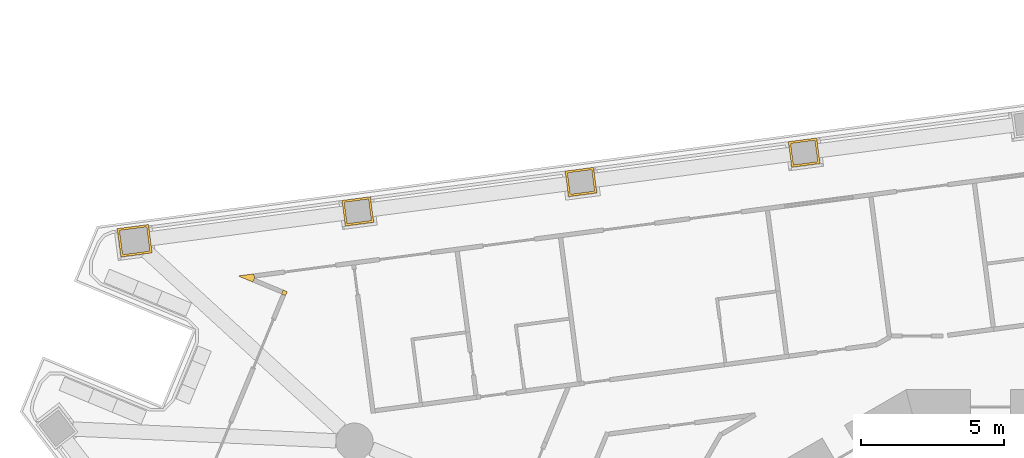
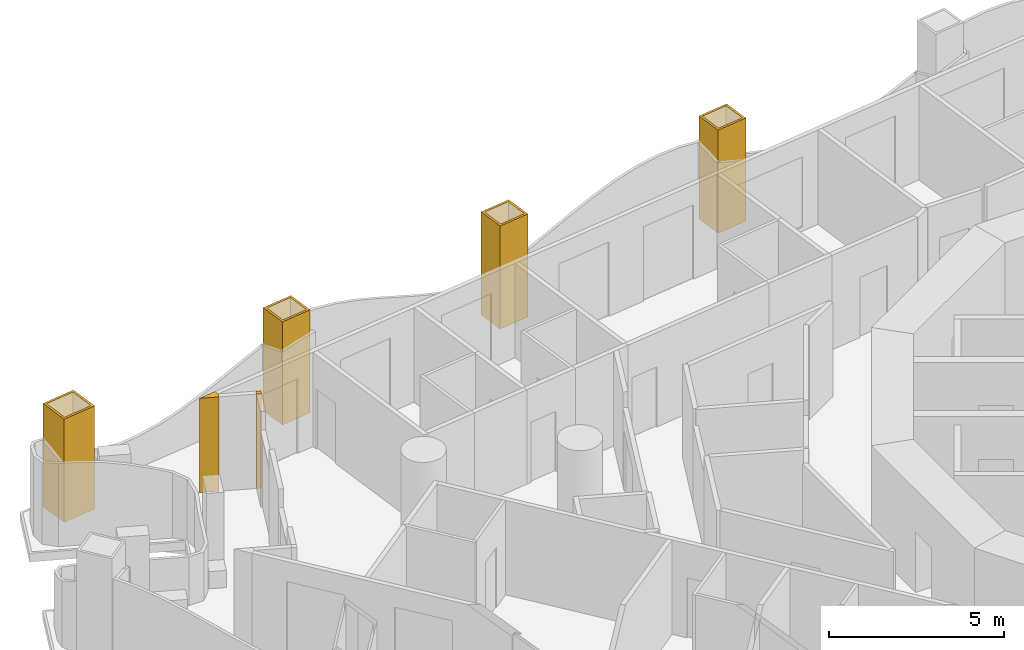
# One storey, part 16 of 19: 6 coverings.
"""IFC4 building model written with IfcOpenShell, lengths in metres."""

from ifc_helpers import new_model, si_unit, direction, frame, origin, place, context, subcontext, project, spatial, polyline, outline, extrude, material, layer, layer_set, type_object, element, save


model = new_model("IFC4")

# Units and contexts
model_context = context("Model", 3, precision=1e-05, world=origin(), true_north=direction((0.0, 1.0)))
body_context = subcontext(model_context, "Body", "Model", "MODEL_VIEW")
ifc_project = project(units=[si_unit("LENGTHUNIT", "METRE"), si_unit("AREAUNIT", "SQUARE_METRE"), si_unit("VOLUMEUNIT", "CUBIC_METRE"), si_unit("PLANEANGLEUNIT", "RADIAN"), si_unit("MASSUNIT", "GRAM", prefix="KILO")], contexts=[model_context])

# Site, building, storey
site_placement = place(None, origin())
site = spatial("IfcSite", under=ifc_project, at=site_placement, CompositionType="ELEMENT")
building_placement = place(site_placement, origin())
building = spatial("IfcBuilding", under=site, at=building_placement, Name="Trine Commons Tower", CompositionType="ELEMENT")
storey_placement = place(building_placement, frame((0.0, 0.0, 75.60009765625)))
storey = spatial("IfcBuildingStorey", under=building, at=storey_placement, Name="L18", CompositionType="ELEMENT", Elevation=75.60009765625)

# Coverings
ifc_material_1 = material(Name="Aluminium-framed insulated wall panel", Category="aluminium")
ifc_layer_1 = layer(ifc_material_1, 0.14990234375)
ifc_layer_set_1 = layer_set([ifc_layer_1], Name="Aluminium-framed insulated wall panel")
covering_type_1 = type_object("IfcCoveringType", Name="Glazing corner post, aluminium", PredefinedType="CLADDING", material=ifc_layer_set_1)
covering_1_placement = place(storey_placement, origin())
element("IfcCovering", 1, at=covering_1_placement, inside=storey, type_object=covering_type_1, Name="Glazing corner post 2-03", PredefinedType="CLADDING", context=body_context, shape_type="SweptSolid", body=[
    extrude(outline(polyline([(55.384521484375, 76.79833984375), (55.44189453125, 76.93701171875), (55.30322265625, 76.994384765625), (55.245849609375, 76.855712890625), (55.384521484375, 76.79833984375)])), origin(), (0.0, 0.0, 1.0), 3.2998046875),
])
covering_2_placement = place(storey_placement, origin())
element("IfcCovering", 2, at=covering_2_placement, inside=storey, type_object=covering_type_1, Name="Glazing corner post 2-04", PredefinedType="CLADDING", context=body_context, shape_type="SweptSolid", body=[
    extrude(outline(polyline([(54.242919921875, 77.271240234375), (54.30029296875, 77.409912109375), (54.280517578125, 77.55859375), (53.7255859375, 77.485595703125), (54.242919921875, 77.271240234375)])), origin(), (0.0, 0.0, 1.0), 3.2998046875),
])
ifc_material_2 = material(Name="Limestone, honed", Category="masonry")
ifc_layer_2 = layer(ifc_material_2, 0.074951171875)
ifc_layer_set_2 = layer_set([ifc_layer_2], Name="Limestone, honed")
covering_type_2 = type_object("IfcCoveringType", Name="Limestone column cladding 75", PredefinedType="CLADDING", material=ifc_layer_set_2)
covering_3_placement = place(storey_placement, origin())
element("IfcCovering", 3, at=covering_3_placement, inside=storey, type_object=covering_type_2, Name="Limestone pier cladding 2-09", PredefinedType="CLADDING", context=body_context, shape_type="SweptSolid", body=[
    extrude(outline(polyline([(50.726806640625, 78.291015625), (50.59619140625, 79.2822265625), (49.505615234375, 79.138671875), (49.635986328125, 78.147216796875), (50.726806640625, 78.291015625)]), holes=[polyline([(50.642578125, 78.35546875), (50.531494140625, 79.1982421875), (49.589599609375, 79.07421875), (49.70068359375, 78.2314453125), (50.642578125, 78.35546875)])]), origin(), (0.0, 0.0, 1.0), 3.599853515625),
])
covering_4_placement = place(storey_placement, origin())
element("IfcCovering", 4, at=covering_4_placement, inside=storey, type_object=covering_type_2, Name="Limestone pier cladding 2-10", PredefinedType="CLADDING", context=body_context, shape_type="SweptSolid", body=[
    extrude(outline(polyline([(58.4638671875, 79.360107421875), (58.34619140625, 80.252197265625), (57.354736328125, 80.121826171875), (57.472412109375, 79.2294921875), (58.4638671875, 79.360107421875)]), holes=[polyline([(58.379638671875, 79.424560546875), (58.28173828125, 80.168212890625), (57.43896484375, 80.05712890625), (57.536865234375, 79.313720703125), (58.379638671875, 79.424560546875)])]), origin(), (0.0, 0.0, 1.0), 3.599853515625),
])
covering_5_placement = place(storey_placement, origin())
element("IfcCovering", 5, at=covering_5_placement, inside=storey, type_object=covering_type_2, Name="Limestone pier cladding 2-11", PredefinedType="CLADDING", context=body_context, shape_type="SweptSolid", body=[
    extrude(outline(polyline([(66.257080078125, 80.385986328125), (66.1396484375, 81.2783203125), (65.148193359375, 81.147705078125), (65.265625, 80.255615234375), (66.257080078125, 80.385986328125)]), holes=[polyline([(66.1728515625, 80.45068359375), (66.074951171875, 81.194091796875), (65.232421875, 81.083251953125), (65.330078125, 80.339599609375), (66.1728515625, 80.45068359375)])]), origin(), (0.0, 0.0, 1.0), 3.599853515625),
])
covering_6_placement = place(storey_placement, origin())
element("IfcCovering", 6, at=covering_6_placement, inside=storey, type_object=covering_type_2, Name="Limestone pier cladding 2-12", PredefinedType="CLADDING", context=body_context, shape_type="SweptSolid", body=[
    extrude(outline(polyline([(74.05029296875, 81.412109375), (73.932861328125, 82.30419921875), (72.94140625, 82.173828125), (73.058837890625, 81.281494140625), (74.05029296875, 81.412109375)]), holes=[polyline([(73.96630859375, 81.4765625), (73.868408203125, 82.22021484375), (73.025634765625, 82.109130859375), (73.12353515625, 81.365478515625), (73.96630859375, 81.4765625)])]), origin(), (0.0, 0.0, 1.0), 3.599853515625),
])

save(model, "model.ifc")
